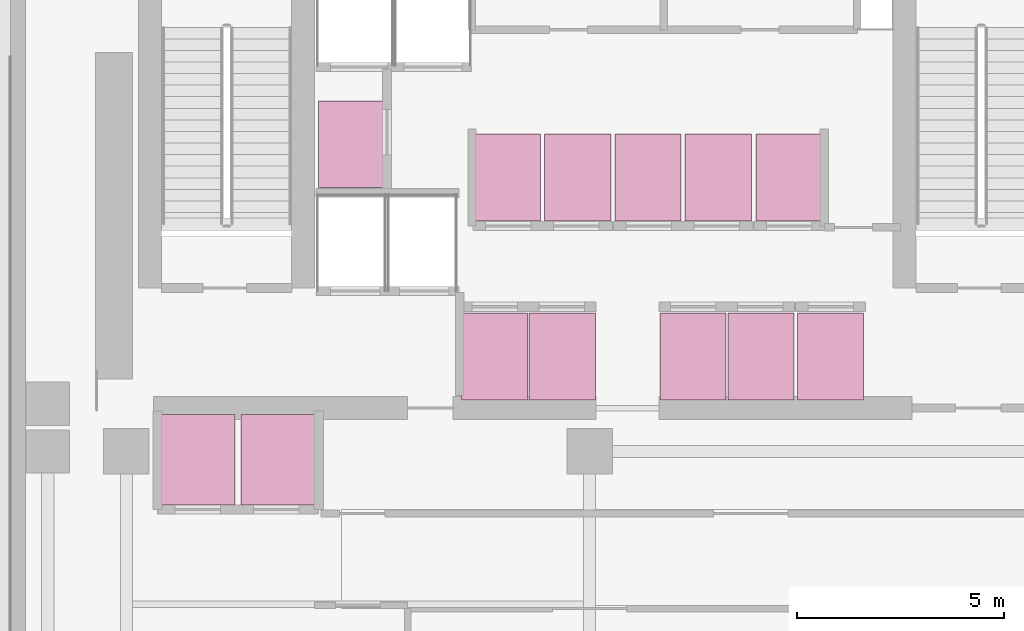
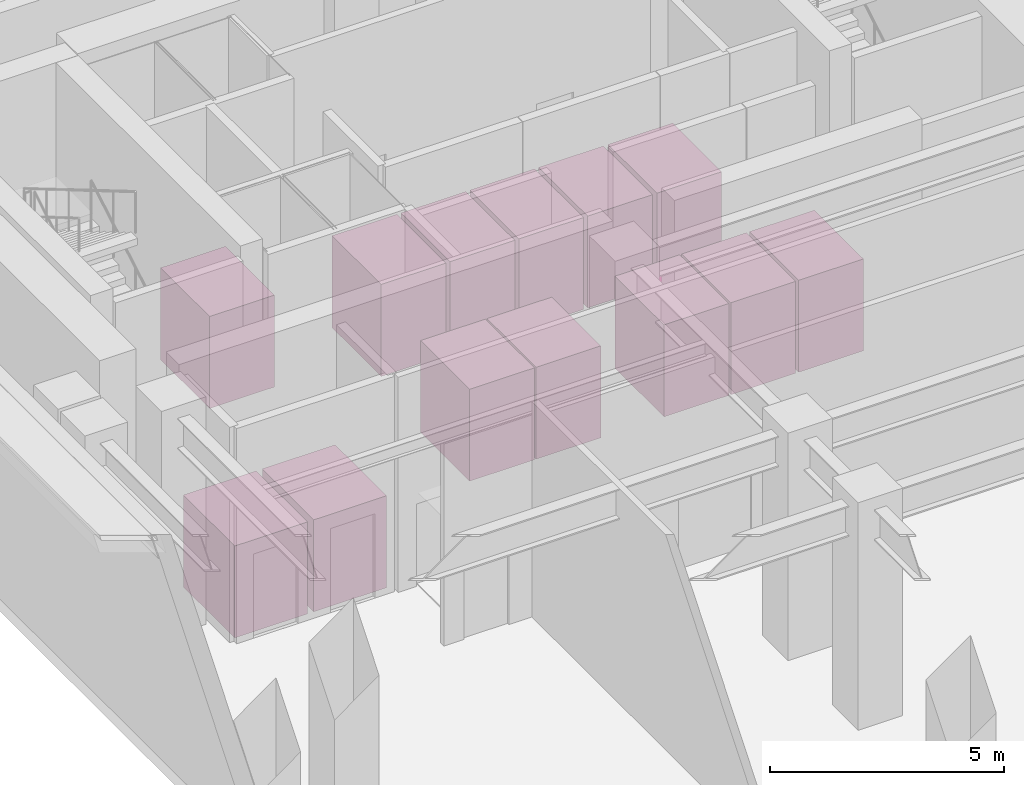
# One storey, part 18 of 18: 13 transport elements.
"""IFC4 building model written with IfcOpenShell, lengths in metres."""

from ifc_helpers import new_model, si_unit, direction, frame, origin, origin_2d, place, context, subcontext, project, spatial, rectangle, extrude, material, type_object, element, save


model = new_model("IFC4")

# Units and contexts
model_context = context("Model", 3, precision=1e-05, world=origin(), true_north=direction((0.0, 1.0)))
body_context = subcontext(model_context, "Body", "Model", "MODEL_VIEW")
ifc_project = project(units=[si_unit("LENGTHUNIT", "METRE"), si_unit("AREAUNIT", "SQUARE_METRE"), si_unit("VOLUMEUNIT", "CUBIC_METRE"), si_unit("PLANEANGLEUNIT", "RADIAN"), si_unit("MASSUNIT", "GRAM", prefix="KILO")], contexts=[model_context])

# Site, building, storey
site_placement = place(None, origin())
site = spatial("IfcSite", under=ifc_project, at=site_placement, CompositionType="ELEMENT")
building_placement = place(site_placement, origin())
building = spatial("IfcBuilding", under=site, at=building_placement, Name="Kefirva Bronze Tower", CompositionType="ELEMENT")
storey_placement = place(building_placement, origin())
storey = spatial("IfcBuildingStorey", under=building, at=storey_placement, Name="L00", CompositionType="ELEMENT", Elevation=0.0)

# Transport elements
ifc_material = material(Name="Stainless steel 316", Category="steel")
transport_element_type_1 = type_object("IfcTransportElementType", Name="Observation Shuttle 1800kg 1800x2200", PredefinedType="ELEVATOR", material=ifc_material)
for number, where, z_axis, x_axis, name in (
    (1, (2.52490234375, 33.0, 0.0), (0.0, 0.0, 1.0), (1.0, 0.0, 0.0), "Lift OB1 Car"),
    (2, (4.47509765625, 33.0, 0.0), (0.0, 0.0, 1.0), (1.0, 0.0, 0.0), "Lift OB2 Car"),
):
    element("IfcTransportElement", number, at=place(storey_placement, frame(where, z_axis=z_axis, x_axis=x_axis)), inside=storey, type_object=transport_element_type_1, Name=name, PredefinedType="ELEVATOR", context=body_context, shape_type="SweptSolid", body=[
        extrude(rectangle(XDim=1.800048828125, YDim=2.199951171875, at=origin_2d()), origin(), (0.0, 0.0, 1.0), 2.39990234375),
    ])
transport_element_type_2 = type_object("IfcTransportElementType", Name="Passenger Lift 1600kg 1600x2100", PredefinedType="ELEVATOR", material=ifc_material)
for number, where, z_axis, x_axis, name in (
    (3, (9.699951171875, 35.5, 0.0), (0.0, 0.0, 1.0), (1.0, 0.0, 0.0), "Lift LP1 Car"),
    (4, (11.340087890625, 35.5, 0.0), (0.0, 0.0, 1.0), (1.0, 0.0, 0.0), "Lift LP2 Car"),
    (5, (10.014892578125, 39.830078125, 0.0), (0.0, 0.0, 1.0), (1.0, 0.0, 0.0), "Lift LP3 Car"),
    (6, (11.715087890625, 39.830078125, 0.0), (0.0, 0.0, 1.0), (1.0, 0.0, 0.0), "Lift LP4 Car"),
    (7, (14.5, 35.5, 0.0), (0.0, 0.0, 1.0), (1.0, 0.0, 0.0), "Lift MP1 Car"),
    (8, (16.14990234375, 35.5, 0.0), (0.0, 0.0, 1.0), (1.0, 0.0, 0.0), "Lift MP2 Car"),
    (9, (13.4150390625, 39.830078125, 0.0), (0.0, 0.0, 1.0), (1.0, 0.0, 0.0), "Lift MP3 Car"),
    (10, (15.114990234375, 39.830078125, 0.0), (0.0, 0.0, 1.0), (1.0, 0.0, 0.0), "Lift MP4 Car"),
    (11, (17.824951171875, 35.5, 0.0), (0.0, 0.0, 1.0), (1.0, 0.0, 0.0), "Lift HP1 Car"),
    (12, (16.824951171875, 39.830078125, 0.0), (0.0, 0.0, 1.0), (1.0, 0.0, 0.0), "Lift HP2 Car"),
    (13, (6.239990234375, 40.6298828125, 0.0), (0.0, 0.0, 1.0), (1.0, 0.0, 0.0), "Lift HP3 Car"),
):
    element("IfcTransportElement", number, at=place(storey_placement, frame(where, z_axis=z_axis, x_axis=x_axis)), inside=storey, type_object=transport_element_type_2, Name=name, PredefinedType="ELEVATOR", context=body_context, shape_type="SweptSolid", body=[
        extrude(rectangle(XDim=1.60009765625, YDim=2.10009765625, at=origin_2d()), origin(), (0.0, 0.0, 1.0), 2.39990234375),
    ])

save(model, "model.ifc")
